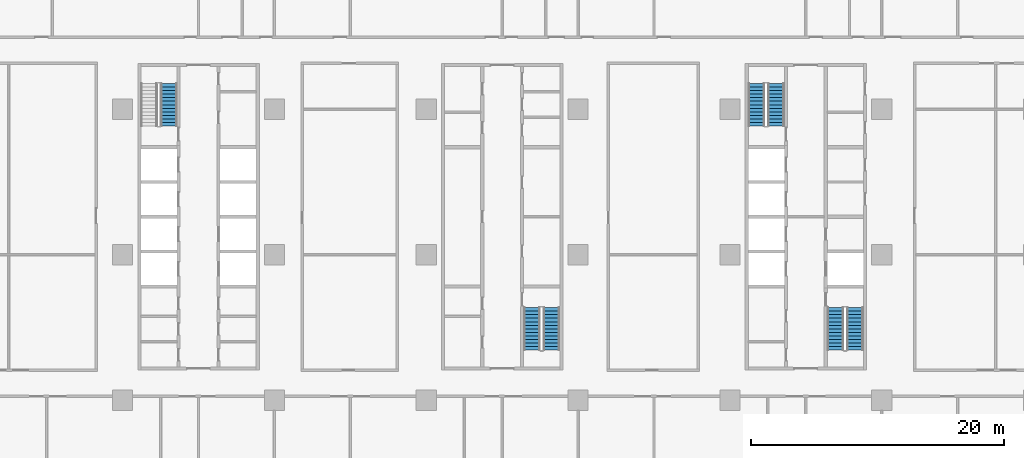
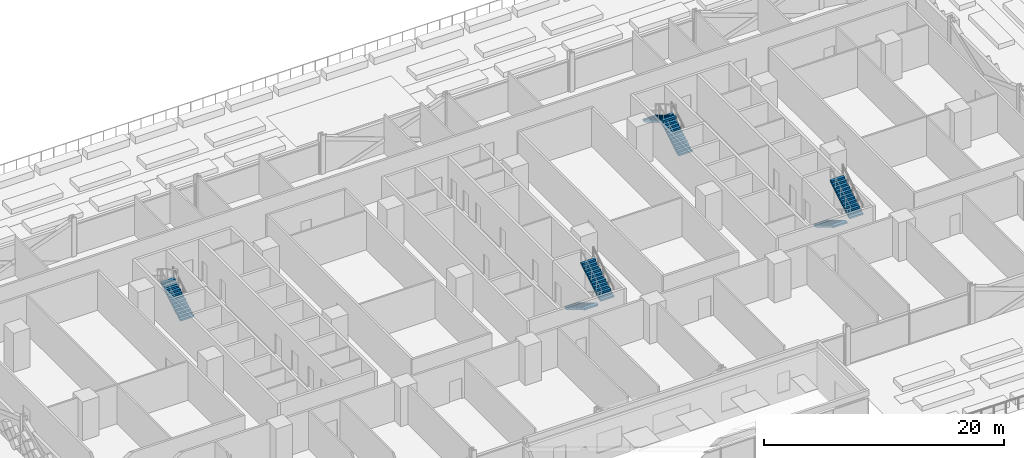
# One storey, part 19 of 39: 7 stair flights, 4 elements without a shape of their own.
"""IFC4 building model written with IfcOpenShell, lengths in metres."""

from ifc_helpers import new_model, si_unit, direction, frame, origin, place, context, subcontext, project, spatial, polyline, outline, extrude, material, type_object, element, aggregate, save


model = new_model("IFC4")

# Units and contexts
model_context = context("Model", 3, precision=1e-05, world=origin(), true_north=direction((0.0, 1.0)))
body_context = subcontext(model_context, "Body", "Model", "MODEL_VIEW")
ifc_project = project(units=[si_unit("LENGTHUNIT", "METRE"), si_unit("AREAUNIT", "SQUARE_METRE"), si_unit("VOLUMEUNIT", "CUBIC_METRE"), si_unit("PLANEANGLEUNIT", "RADIAN"), si_unit("MASSUNIT", "GRAM", prefix="KILO")], contexts=[model_context])

# Site, building, storey
site_placement = place(None, origin())
site = spatial("IfcSite", under=ifc_project, at=site_placement, CompositionType="ELEMENT")
building_placement = place(site_placement, origin())
building = spatial("IfcBuilding", under=site, at=building_placement, Name="Mahtab Terrace Research Tower", CompositionType="ELEMENT")
storey_placement = place(building_placement, frame((0.0, 0.0, 7.199951171875)))
storey = spatial("IfcBuildingStorey", under=building, at=storey_placement, Name="L01", CompositionType="ELEMENT", Elevation=7.199951171875)

# Stair, stair flight
ifc_material_1 = material(Name="Exit stair half-turn")
stair_type = type_object("IfcStairType", Name="Exit stair half-turn", PredefinedType="HALF_TURN_STAIR", material=ifc_material_1)
stair_1_placement = place(storey_placement, origin())
stair_1 = element("IfcStair", 1, at=stair_1_placement, inside=storey, type_object=stair_type, Name="L01 Protected exit stair ST1", PredefinedType="HALF_TURN_STAIR")
ifc_material_2 = material(Name="Concrete C40/50", Category="concrete")
stair_flight_type = type_object("IfcStairFlightType", Name="Exit stair flight 1300", PredefinedType="STRAIGHT", material=ifc_material_2)
stair_flight_1_placement = place(storey_placement, frame((-26.35009765625, 10.175048828125, 0.0), z_axis=(0.0, 0.0, 1.0), x_axis=(0.0, 1.0, 0.0)))
stair_flight_1 = element("IfcStairFlight", 2, at=stair_flight_1_placement, type_object=stair_flight_type, Name="ST1 flight 1", NumberOfRisers=13, NumberOfTreads=12, PredefinedType="STRAIGHT", RiserHeight=0.165384615, TreadLength=0.28, context=body_context, shape_type="SweptSolid", body=[
    extrude(outline(polyline([(0.0, 0.0), (0.0, 0.165283203125), (0.280029296875, 0.165283203125), (0.280029296875, 0.330810546875), (0.56005859375, 0.330810546875), (0.56005859375, 0.49609375), (0.840087890625, 0.49609375), (0.840087890625, 0.66162109375), (1.1201171875, 0.66162109375), (1.1201171875, 0.826904296875), (1.39990234375, 0.826904296875), (1.39990234375, 0.9921875), (1.679931640625, 0.9921875), (1.679931640625, 1.15771484375), (1.9599609375, 1.15771484375), (1.9599609375, 1.322998046875), (2.239990234375, 1.322998046875), (2.239990234375, 1.488525390625), (2.52001953125, 1.488525390625), (2.52001953125, 1.65380859375), (2.800048828125, 1.65380859375), (2.800048828125, 1.8193359375), (3.080078125, 1.8193359375), (3.080078125, 1.984619140625), (3.360107421875, 1.984619140625), (3.360107421875, 2.14990234375), (3.360107421875, 1.810546875), (0.294677734375, 0.0), (0.0, 0.0)])), frame((0.0, 0.64990234375, 0.0), z_axis=(0.0, -1.0, 0.0), x_axis=(1.0, 0.0, 0.0)), (0.0, 0.0, 1.0), 1.300048828125),
])
aggregate(stair_1, [stair_flight_1])

# Stair, stair flights
stair_2_placement = place(storey_placement, origin())
stair_2 = element("IfcStair", 3, at=stair_2_placement, inside=storey, type_object=stair_type, Name="L01 Protected exit stair ST2", PredefinedType="HALF_TURN_STAIR")
stair_flight_2_placement = place(storey_placement, frame((2.35009765625, -4.175048828125, 0.0), z_axis=(0.0, 0.0, 1.0), x_axis=(0.0, -1.0, 0.0)))
stair_flight_2 = element("IfcStairFlight", 4, at=stair_flight_2_placement, type_object=stair_flight_type, Name="ST2 flight 1", NumberOfRisers=13, NumberOfTreads=12, PredefinedType="STRAIGHT", RiserHeight=0.165384615, TreadLength=0.28, context=body_context, shape_type="SweptSolid", body=[
    extrude(outline(polyline([(0.0, 0.0), (0.0, 0.165283203125), (0.280029296875, 0.165283203125), (0.280029296875, 0.330810546875), (0.56005859375, 0.330810546875), (0.56005859375, 0.49609375), (0.840087890625, 0.49609375), (0.840087890625, 0.66162109375), (1.1201171875, 0.66162109375), (1.1201171875, 0.826904296875), (1.39990234375, 0.826904296875), (1.39990234375, 0.9921875), (1.679931640625, 0.9921875), (1.679931640625, 1.15771484375), (1.9599609375, 1.15771484375), (1.9599609375, 1.322998046875), (2.239990234375, 1.322998046875), (2.239990234375, 1.488525390625), (2.52001953125, 1.488525390625), (2.52001953125, 1.65380859375), (2.800048828125, 1.65380859375), (2.800048828125, 1.8193359375), (3.080078125, 1.8193359375), (3.080078125, 1.984619140625), (3.360107421875, 1.984619140625), (3.360107421875, 2.14990234375), (3.360107421875, 1.810546875), (0.294677734375, 0.0), (0.0, 0.0)])), frame((0.0, 0.64990234375, 0.0), z_axis=(0.0, -1.0, 0.0), x_axis=(1.0, 0.0, 0.0)), (0.0, 0.0, 1.0), 1.300048828125),
])
stair_flight_3_placement = place(storey_placement, frame((3.89990234375, -7.534912109375, 2.150146484375), z_axis=(0.0, 0.0, 1.0), x_axis=(0.0, 1.0, 0.0)))
stair_flight_3 = element("IfcStairFlight", 5, at=stair_flight_3_placement, type_object=stair_flight_type, Name="ST2 flight 2", NumberOfRisers=13, NumberOfTreads=12, PredefinedType="STRAIGHT", RiserHeight=0.165384615, TreadLength=0.28, context=body_context, shape_type="SweptSolid", body=[
    extrude(outline(polyline([(0.0, 0.0), (0.0, 0.165283203125), (0.280029296875, 0.165283203125), (0.280029296875, 0.330810546875), (0.56005859375, 0.330810546875), (0.56005859375, 0.49609375), (0.840087890625, 0.49609375), (0.840087890625, 0.66162109375), (1.1201171875, 0.66162109375), (1.1201171875, 0.826904296875), (1.39990234375, 0.826904296875), (1.39990234375, 0.9921875), (1.679931640625, 0.9921875), (1.679931640625, 1.15771484375), (1.9599609375, 1.15771484375), (1.9599609375, 1.322998046875), (2.239990234375, 1.322998046875), (2.239990234375, 1.488525390625), (2.52001953125, 1.488525390625), (2.52001953125, 1.65380859375), (2.800048828125, 1.65380859375), (2.800048828125, 1.8193359375), (3.080078125, 1.8193359375), (3.080078125, 1.984619140625), (3.360107421875, 1.984619140625), (3.360107421875, 2.14990234375), (3.360107421875, 1.810546875), (0.294677734375, 0.0), (0.0, 0.0)])), frame((0.0, 0.64990234375, 0.0), z_axis=(0.0, -1.0, 0.0), x_axis=(1.0, 0.0, 0.0)), (0.0, 0.0, 1.0), 1.300048828125),
])
aggregate(stair_2, [stair_flight_2, stair_flight_3])

stair_3_placement = place(storey_placement, origin())
stair_3 = element("IfcStair", 6, at=stair_3_placement, inside=storey, type_object=stair_type, Name="L01 Protected exit stair ST3", PredefinedType="HALF_TURN_STAIR")
stair_flight_4_placement = place(storey_placement, frame((21.64990234375, 10.175048828125, 0.0), z_axis=(0.0, 0.0, 1.0), x_axis=(0.0, 1.0, 0.0)))
stair_flight_4 = element("IfcStairFlight", 7, at=stair_flight_4_placement, type_object=stair_flight_type, Name="ST3 flight 1", NumberOfRisers=13, NumberOfTreads=12, PredefinedType="STRAIGHT", RiserHeight=0.165384615, TreadLength=0.28, context=body_context, shape_type="SweptSolid", body=[
    extrude(outline(polyline([(0.0, 0.0), (0.0, 0.165283203125), (0.280029296875, 0.165283203125), (0.280029296875, 0.330810546875), (0.56005859375, 0.330810546875), (0.56005859375, 0.49609375), (0.840087890625, 0.49609375), (0.840087890625, 0.66162109375), (1.1201171875, 0.66162109375), (1.1201171875, 0.826904296875), (1.39990234375, 0.826904296875), (1.39990234375, 0.9921875), (1.679931640625, 0.9921875), (1.679931640625, 1.15771484375), (1.9599609375, 1.15771484375), (1.9599609375, 1.322998046875), (2.239990234375, 1.322998046875), (2.239990234375, 1.488525390625), (2.52001953125, 1.488525390625), (2.52001953125, 1.65380859375), (2.800048828125, 1.65380859375), (2.800048828125, 1.8193359375), (3.080078125, 1.8193359375), (3.080078125, 1.984619140625), (3.360107421875, 1.984619140625), (3.360107421875, 2.14990234375), (3.360107421875, 1.810546875), (0.294677734375, 0.0), (0.0, 0.0)])), frame((0.0, 0.64990234375, 0.0), z_axis=(0.0, -1.0, 0.0), x_axis=(1.0, 0.0, 0.0)), (0.0, 0.0, 1.0), 1.300048828125),
])
stair_flight_5_placement = place(storey_placement, frame((20.10009765625, 13.534912109375, 2.150146484375), z_axis=(0.0, 0.0, 1.0), x_axis=(0.0, -1.0, 0.0)))
stair_flight_5 = element("IfcStairFlight", 8, at=stair_flight_5_placement, type_object=stair_flight_type, Name="ST3 flight 2", NumberOfRisers=13, NumberOfTreads=12, PredefinedType="STRAIGHT", RiserHeight=0.165384615, TreadLength=0.28, context=body_context, shape_type="SweptSolid", body=[
    extrude(outline(polyline([(0.0, 0.0), (0.0, 0.165283203125), (0.280029296875, 0.165283203125), (0.280029296875, 0.330810546875), (0.56005859375, 0.330810546875), (0.56005859375, 0.49609375), (0.840087890625, 0.49609375), (0.840087890625, 0.66162109375), (1.1201171875, 0.66162109375), (1.1201171875, 0.826904296875), (1.39990234375, 0.826904296875), (1.39990234375, 0.9921875), (1.679931640625, 0.9921875), (1.679931640625, 1.15771484375), (1.9599609375, 1.15771484375), (1.9599609375, 1.322998046875), (2.239990234375, 1.322998046875), (2.239990234375, 1.488525390625), (2.52001953125, 1.488525390625), (2.52001953125, 1.65380859375), (2.800048828125, 1.65380859375), (2.800048828125, 1.8193359375), (3.080078125, 1.8193359375), (3.080078125, 1.984619140625), (3.360107421875, 1.984619140625), (3.360107421875, 2.14990234375), (3.360107421875, 1.810546875), (0.294677734375, 0.0), (0.0, 0.0)])), frame((0.0, 0.64990234375, 0.0), z_axis=(0.0, -1.0, 0.0), x_axis=(1.0, 0.0, 0.0)), (0.0, 0.0, 1.0), 1.300048828125),
])
aggregate(stair_3, [stair_flight_4, stair_flight_5])

stair_4_placement = place(storey_placement, origin())
stair_4 = element("IfcStair", 9, at=stair_4_placement, inside=storey, type_object=stair_type, Name="L01 Protected exit stair ST4", PredefinedType="HALF_TURN_STAIR")
stair_flight_6_placement = place(storey_placement, frame((26.35009765625, -4.175048828125, 0.0), z_axis=(0.0, 0.0, 1.0), x_axis=(0.0, -1.0, 0.0)))
stair_flight_6 = element("IfcStairFlight", 10, at=stair_flight_6_placement, type_object=stair_flight_type, Name="ST4 flight 1", NumberOfRisers=13, NumberOfTreads=12, PredefinedType="STRAIGHT", RiserHeight=0.165384615, TreadLength=0.28, context=body_context, shape_type="SweptSolid", body=[
    extrude(outline(polyline([(0.0, 0.0), (0.0, 0.165283203125), (0.280029296875, 0.165283203125), (0.280029296875, 0.330810546875), (0.56005859375, 0.330810546875), (0.56005859375, 0.49609375), (0.840087890625, 0.49609375), (0.840087890625, 0.66162109375), (1.1201171875, 0.66162109375), (1.1201171875, 0.826904296875), (1.39990234375, 0.826904296875), (1.39990234375, 0.9921875), (1.679931640625, 0.9921875), (1.679931640625, 1.15771484375), (1.9599609375, 1.15771484375), (1.9599609375, 1.322998046875), (2.239990234375, 1.322998046875), (2.239990234375, 1.488525390625), (2.52001953125, 1.488525390625), (2.52001953125, 1.65380859375), (2.800048828125, 1.65380859375), (2.800048828125, 1.8193359375), (3.080078125, 1.8193359375), (3.080078125, 1.984619140625), (3.360107421875, 1.984619140625), (3.360107421875, 2.14990234375), (3.360107421875, 1.810546875), (0.294677734375, 0.0), (0.0, 0.0)])), frame((0.0, 0.64990234375, 0.0), z_axis=(0.0, -1.0, 0.0), x_axis=(1.0, 0.0, 0.0)), (0.0, 0.0, 1.0), 1.300048828125),
])
stair_flight_7_placement = place(storey_placement, frame((27.89990234375, -7.534912109375, 2.150146484375), z_axis=(0.0, 0.0, 1.0), x_axis=(0.0, 1.0, 0.0)))
stair_flight_7 = element("IfcStairFlight", 11, at=stair_flight_7_placement, type_object=stair_flight_type, Name="ST4 flight 2", NumberOfRisers=13, NumberOfTreads=12, PredefinedType="STRAIGHT", RiserHeight=0.165384615, TreadLength=0.28, context=body_context, shape_type="SweptSolid", body=[
    extrude(outline(polyline([(0.0, 0.0), (0.0, 0.165283203125), (0.280029296875, 0.165283203125), (0.280029296875, 0.330810546875), (0.56005859375, 0.330810546875), (0.56005859375, 0.49609375), (0.840087890625, 0.49609375), (0.840087890625, 0.66162109375), (1.1201171875, 0.66162109375), (1.1201171875, 0.826904296875), (1.39990234375, 0.826904296875), (1.39990234375, 0.9921875), (1.679931640625, 0.9921875), (1.679931640625, 1.15771484375), (1.9599609375, 1.15771484375), (1.9599609375, 1.322998046875), (2.239990234375, 1.322998046875), (2.239990234375, 1.488525390625), (2.52001953125, 1.488525390625), (2.52001953125, 1.65380859375), (2.800048828125, 1.65380859375), (2.800048828125, 1.8193359375), (3.080078125, 1.8193359375), (3.080078125, 1.984619140625), (3.360107421875, 1.984619140625), (3.360107421875, 2.14990234375), (3.360107421875, 1.810546875), (0.294677734375, 0.0), (0.0, 0.0)])), frame((0.0, 0.64990234375, 0.0), z_axis=(0.0, -1.0, 0.0), x_axis=(1.0, 0.0, 0.0)), (0.0, 0.0, 1.0), 1.300048828125),
])
aggregate(stair_4, [stair_flight_6, stair_flight_7])

save(model, "model.ifc")
